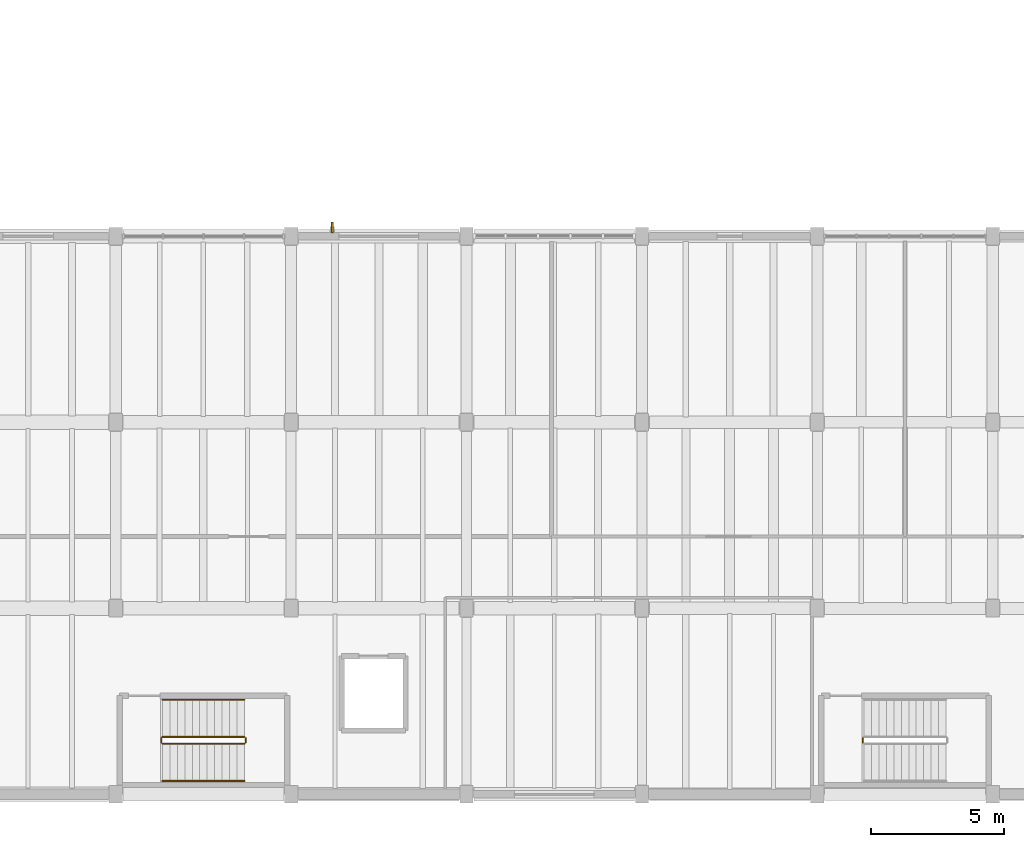
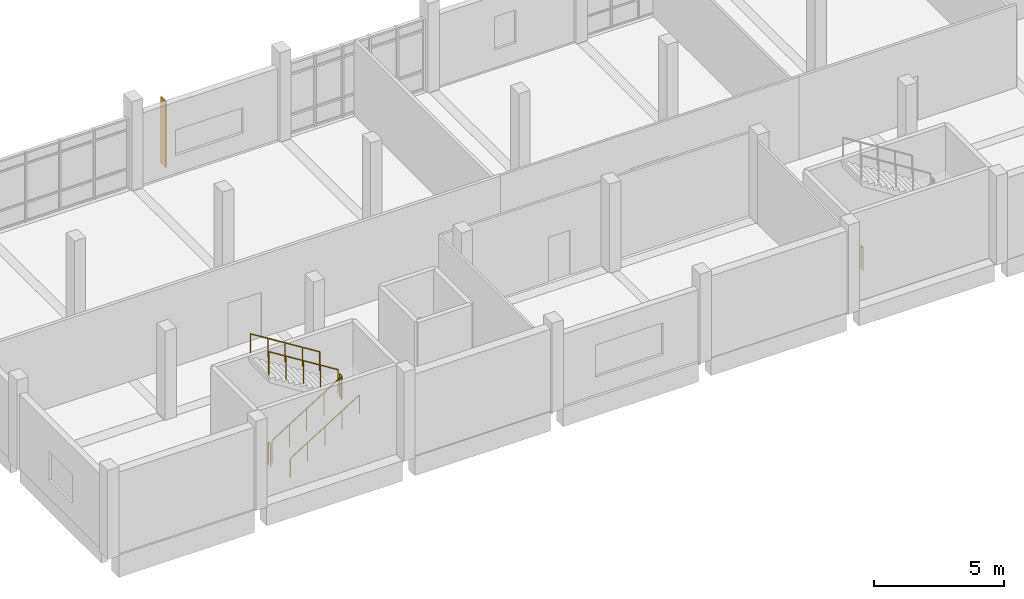
# One storey, part 59 of 67: 7 railings, 1 shading device.
"""IFC4 building model written with IfcOpenShell, lengths in metres."""

import ifcopenshell
import ifcopenshell.guid

model = None  # the IFC model being written
_history = None  # IfcOwnerHistory: only IFC2X3 demands one
_inside = {}  # id of a spatial element -> (the spatial element, [elements in it])
_under = {}  # id of a project, library or spatial element -> (it, [spatial elements below it])
_declared = {}  # id of a project -> (the project, [libraries it declares])
_typed = {}  # id of a type object -> (the type object, [elements of that type])
_made_of = {}  # id of a material, layer set ... -> (it, [elements and type objects made of it])


def new_model(schema):
    """Start an empty IFC model of exactly this schema.

    Asked for "IFC4X3", IfcOpenShell would pick the latest addendum, in which some entities
    have other attributes; the version numbers below select the first issue.
    IFC2X3 requires an IfcOwnerHistory on every rooted entity: one is made here for all.
    """
    global model, _history
    if schema == "IFC4X3":
        model = ifcopenshell.file(schema_version=(4, 3, 0, 0))
    else:
        model = ifcopenshell.file(schema=schema)
    _inside.clear()
    _under.clear()
    _declared.clear()
    _typed.clear()
    _made_of.clear()
    _history = None
    if model.schema == "IFC2X3":
        org = make("IfcOrganization", Name="unknown")
        user = make(
            "IfcPersonAndOrganization",
            ThePerson=make("IfcPerson", FamilyName="unknown"),
            TheOrganization=org,
        )
        app = make(
            "IfcApplication",
            ApplicationDeveloper=org,
            Version="unknown",
            ApplicationFullName="unknown",
            ApplicationIdentifier="unknown",
        )
        _history = make(
            "IfcOwnerHistory",
            OwningUser=user,
            OwningApplication=app,
            ChangeAction="ADDED",
            CreationDate=0,
        )
    return model


def make(cls, **values):
    """One entity of the class cls with the attributes given. An attribute that is None is left unset."""
    return model.create_entity(
        cls, **{name: value for name, value in values.items() if value is not None}
    )


def rooted(cls, **values):
    """An entity with a GlobalId (a new one), such as an element, a storey or a relation."""
    return make(cls, GlobalId=ifcopenshell.guid.new(), OwnerHistory=_history, **values)


def si_unit(unit_type, name, prefix=None):
    """IfcSIUnit, for example si_unit("LENGTHUNIT", "METRE", prefix="MILLI")."""
    return make("IfcSIUnit", UnitType=unit_type, Prefix=prefix, Name=name)


def assignment(units):
    """IfcUnitAssignment: the units of a project."""
    return None if units is None else make("IfcUnitAssignment", Units=units)


def point(xyz):
    """IfcCartesianPoint."""
    return None if xyz is None else make("IfcCartesianPoint", Coordinates=xyz)


def direction(xyz):
    """IfcDirection."""
    return None if xyz is None else make("IfcDirection", DirectionRatios=xyz)


def frame(location, z_axis=None, x_axis=None):
    """IfcAxis2Placement3D, a coordinate frame: its origin and axes. An axis left out is left unset."""
    return make(
        "IfcAxis2Placement3D",
        Location=point(location),
        Axis=direction(z_axis),
        RefDirection=direction(x_axis),
    )


def frame_2d(location, x_axis=None):
    """IfcAxis2Placement2D, a coordinate frame in the plane: its origin and x axis."""
    return make(
        "IfcAxis2Placement2D", Location=point(location), RefDirection=direction(x_axis)
    )


def origin():
    """The frame at (0, 0, 0) with its axes left unset."""
    return frame((0.0, 0.0, 0.0))


def origin_2d():
    """The frame at (0, 0) in the plane with its x axis left unset."""
    return frame_2d((0.0, 0.0))


def place(relative_to, where):
    """IfcLocalPlacement: puts the frame where relative to a parent placement (None: the world)."""
    return make(
        "IfcLocalPlacement", PlacementRelTo=relative_to, RelativePlacement=where
    )


def context(
    kind, dimensions, precision=None, world=None, true_north=None, identifier=None
):
    """IfcGeometricRepresentationContext, for example the 3D "Model" context."""
    return make(
        "IfcGeometricRepresentationContext",
        ContextIdentifier=identifier,
        ContextType=kind,
        CoordinateSpaceDimension=dimensions,
        Precision=precision,
        WorldCoordinateSystem=world,
        TrueNorth=true_north,
    )


def subcontext(parent, identifier, kind, view, scale=None):
    """IfcGeometricRepresentationSubContext, for example "Body" below "Model"."""
    return make(
        "IfcGeometricRepresentationSubContext",
        ContextIdentifier=identifier,
        ContextType=kind,
        ParentContext=parent,
        TargetScale=scale,
        TargetView=view,
    )


def project(units=None, contexts=None):
    """IfcProject with its units and contexts."""
    return rooted(
        "IfcProject",
        Name="project",
        RepresentationContexts=contexts,
        UnitsInContext=assignment(units),
    )


def spatial(cls, under=None, at=None, **own):
    """A site, building, storey or space (cls), placed at a placement, below another one or the project."""
    s = rooted(cls, ObjectPlacement=at, **own)
    if under is not None:
        _under.setdefault(under.id(), (under, []))[1].append(s)
    return s


def profile(cls, at=None, kind="AREA", **sizes):
    """A parametric profile (cls). Its sizes go by their IFC names, for example OverallWidth=200.0."""
    return make(cls, ProfileType=kind, Position=at, **sizes)


def rectangle(**sizes):
    """IfcRectangleProfileDef."""
    return profile("IfcRectangleProfileDef", **sizes)


def circle(**sizes):
    """IfcCircleProfileDef."""
    return profile("IfcCircleProfileDef", **sizes)


def extrude(swept, where, along, depth):
    """IfcExtrudedAreaSolid: the profile swept, set in the frame where, extruded along a direction by depth."""
    return make(
        "IfcExtrudedAreaSolid",
        SweptArea=swept,
        Position=where,
        ExtrudedDirection=direction(along),
        Depth=depth,
    )


def shape(context_of_items, identifier, shape_type, items):
    """IfcShapeRepresentation: the items that make up one representation, for example the "Body"."""
    return make(
        "IfcShapeRepresentation",
        ContextOfItems=context_of_items,
        RepresentationIdentifier=identifier,
        RepresentationType=shape_type,
        Items=items,
    )


def material(Name=None, Category=None):
    """IfcMaterial."""
    return make("IfcMaterial", Name=Name, Category=Category)


def material_profile(
    of_material, cross_section, Name=None, Category=None, Priority=None
):
    """IfcMaterialProfile: a cross section and its material."""
    return make(
        "IfcMaterialProfile",
        Name=Name,
        Material=of_material,
        Profile=cross_section,
        Priority=Priority,
        Category=Category,
    )


def profile_set(profiles, Name=None, composite=None):
    """IfcMaterialProfileSet."""
    return make(
        "IfcMaterialProfileSet",
        Name=Name,
        MaterialProfiles=profiles,
        CompositeProfile=composite,
    )


def made_of(thing, what):
    """Note that an element or type object is made of a material, layer set ...; save() writes the relation."""
    if what is not None:
        _made_of.setdefault(what.id(), (what, []))[1].append(thing)
    return thing


def type_object(cls, material=None, **own):
    """A type object (cls), such as IfcWallType, which elements share."""
    return made_of(rooted(cls, **own), material)


def element(
    cls,
    number,
    at=None,
    inside=None,
    cuts=None,
    type_object=None,
    material=None,
    context=None,
    identifier="Body",
    shape_type=None,
    held_by="IfcProductDefinitionShape",
    body=None,
    shapes=None,
    **own,
):
    """One element of the class cls, such as IfcWall. Its Tag is "e" and its number.

    at: its placement. inside: the storey or other place that contains it. cuts: it is an
    opening in that element (IfcRelVoidsElement). A single representation is given by context,
    identifier, shape_type and body (its items); several are given by shapes. held_by: the class
    of the entity that holds the representations. save() writes the other relations.
    """
    e = rooted(cls, Tag="e%d" % number, ObjectPlacement=at, **own)
    if body is not None:
        shapes = [shape(context, identifier, shape_type, body)]
    if shapes is not None:
        e.Representation = make(held_by, Representations=shapes)
    if inside is not None:
        _inside.setdefault(inside.id(), (inside, []))[1].append(e)
    if cuts is not None:
        rooted(
            "IfcRelVoidsElement", RelatingBuildingElement=cuts, RelatedOpeningElement=e
        )
    if type_object is not None:
        _typed.setdefault(type_object.id(), (type_object, []))[1].append(e)
    return made_of(e, material)


def aggregate(whole, parts):
    """IfcRelAggregates: a whole, such as a stair, and the parts it consists of."""
    return rooted("IfcRelAggregates", RelatingObject=whole, RelatedObjects=parts)


def save(model, path):
    """Write the relations noted so far, then the file.

    IfcRelAggregates (storeys below a building ...), IfcRelContainedInSpatialStructure (elements
    in a storey), IfcRelDefinesByType, IfcRelAssociatesMaterial and IfcRelDeclares: one each for
    every whole, place, type object, material and project.
    """
    for whole, parts in _under.values():
        aggregate(whole, parts)
    for where, things in _inside.values():
        rooted(
            "IfcRelContainedInSpatialStructure",
            RelatedElements=things,
            RelatingStructure=where,
        )
    for kind, things in _typed.values():
        rooted("IfcRelDefinesByType", RelatedObjects=things, RelatingType=kind)
    for what, things in _made_of.values():
        rooted("IfcRelAssociatesMaterial", RelatedObjects=things, RelatingMaterial=what)
    for by, libraries in _declared.values():
        rooted("IfcRelDeclares", RelatingContext=by, RelatedDefinitions=libraries)
    model.write(path)


model = new_model("IFC4")

# Units and contexts
model_context = context("Model", 3, precision=1e-05, world=origin(), true_north=direction((0.0, 1.0)))
body_context = subcontext(model_context, "Body", "Model", "MODEL_VIEW")
ifc_project = project(units=[si_unit("LENGTHUNIT", "METRE"), si_unit("AREAUNIT", "SQUARE_METRE"), si_unit("VOLUMEUNIT", "CUBIC_METRE"), si_unit("PLANEANGLEUNIT", "RADIAN"), si_unit("MASSUNIT", "GRAM", prefix="KILO")], contexts=[model_context])

# Site, building, storey
site_placement = place(None, origin())
site = spatial("IfcSite", under=ifc_project, at=site_placement, CompositionType="ELEMENT")
building_placement = place(site_placement, origin())
building = spatial("IfcBuilding", under=site, at=building_placement, Name="Ciguamira Faculty of Natural Sciences", CompositionType="ELEMENT")
storey_placement = place(building_placement, frame((0.0, 0.0, 8.39990234375)))
storey = spatial("IfcBuildingStorey", under=building, at=storey_placement, Name="L02", CompositionType="ELEMENT", Elevation=8.39990234375)

# Railings
ifc_material_1 = material(Name="Stainless steel balustrade", Category="steel")
railing_type_1 = type_object("IfcRailingType", Name="Guardrail_GR01", PredefinedType="GUARDRAIL", material=ifc_material_1)
railing_1_placement = place(storey_placement, frame((12.860107421875, 4.89990234375, 0.175048828125)))
element("IfcRailing", 1, at=railing_1_placement, inside=storey, type_object=railing_type_1, Name="L02 ST-C1 stair guard 1", PredefinedType="GUARDRAIL", context=body_context, shape_type="SweptSolid", body=[
    extrude(circle(Radius=0.02392578125, at=origin_2d()), frame((0.0, 0.0, 1.076171875), z_axis=(0.847979421464, 0.0, 0.530029150871), x_axis=(0.0, 1.0, 0.0)), (0.0, 0.0, 1.0), 3.632080078125),
    extrude(circle(Radius=0.02099609375, at=origin_2d()), origin(), (0.0, 0.0, 1.0), 1.052001953125),
    extrude(circle(Radius=0.02099609375, at=origin_2d()), frame((0.77001953125, 0.0, 0.481201171875)), (0.0, 0.0, 1.0), 1.052001953125),
    extrude(circle(Radius=0.02099609375, at=origin_2d()), frame((1.5400390625, 0.0, 0.96240234375)), (0.0, 0.0, 1.0), 1.052001953125),
    extrude(circle(Radius=0.02099609375, at=origin_2d()), frame((2.309814453125, 0.0, 1.44384765625)), (0.0, 0.0, 1.0), 1.052001953125),
    extrude(circle(Radius=0.02099609375, at=origin_2d()), frame((3.079833984375, 0.0, 1.925048828125)), (0.0, 0.0, 1.0), 1.052001953125),
])
railing_2_placement = place(storey_placement, frame((15.989990234375, 4.949951171875, 2.10009765625)))
element("IfcRailing", 2, at=railing_2_placement, inside=storey, type_object=railing_type_1, Name="L02 ST-C1 stair guard 2", PredefinedType="GUARDRAIL", context=body_context, shape_type="SweptSolid", body=[
    extrude(circle(Radius=0.02392578125, at=origin_2d()), frame((0.0, 0.0, 1.076171875), z_axis=(0.0, 1.0, 0.0), x_axis=(-1.0, 0.0, 0.0)), (0.0, 0.0, 1.0), 0.16015625),
    extrude(circle(Radius=0.02099609375, at=origin_2d()), origin(), (0.0, 0.0, 1.0), 1.052001953125),
    extrude(circle(Radius=0.02099609375, at=origin_2d()), frame((0.0, 0.16015625, 0.0)), (0.0, 0.0, 1.0), 1.052001953125),
])
railing_3_placement = place(storey_placement, frame((15.93994140625, 5.159912109375, 2.275146484375)))
element("IfcRailing", 3, at=railing_3_placement, inside=storey, type_object=railing_type_1, Name="L02 ST-C1 stair guard 3", PredefinedType="GUARDRAIL", context=body_context, shape_type="SweptSolid", body=[
    extrude(circle(Radius=0.02392578125, at=origin_2d()), frame((0.0, 0.0, 1.076171875), z_axis=(-0.847979421464, 0.0, 0.530029150871), x_axis=(0.0, -1.0, 0.0)), (0.0, 0.0, 1.0), 3.632080078125),
    extrude(circle(Radius=0.02099609375, at=origin_2d()), origin(), (0.0, 0.0, 1.0), 1.052001953125),
    extrude(circle(Radius=0.02099609375, at=origin_2d()), frame((-0.77001953125, 0.0, 0.481201171875)), (0.0, 0.0, 1.0), 1.052001953125),
    extrude(circle(Radius=0.02099609375, at=origin_2d()), frame((-1.5400390625, 0.0, 0.96240234375)), (0.0, 0.0, 1.0), 1.052001953125),
    extrude(circle(Radius=0.02099609375, at=origin_2d()), frame((-2.309814453125, 0.0, 1.44384765625)), (0.0, 0.0, 1.0), 1.052001953125),
    extrude(circle(Radius=0.02099609375, at=origin_2d()), frame((-3.079833984375, 0.0, 1.925048828125)), (0.0, 0.0, 1.0), 1.052001953125),
])
for number, where, name in (
    (4, (12.81005859375, 4.949951171875, 0.0), "L02 ST-C1 stair guard 4"),
    (5, (39.2099609375, 4.949951171875, 0.0), "L02 ST-C2 stair guard 4"),
):
    element("IfcRailing", number, at=place(storey_placement, frame(where)), inside=storey, type_object=railing_type_1, Name=name, PredefinedType="GUARDRAIL", context=body_context, shape_type="SweptSolid", body=[
        extrude(circle(Radius=0.02392578125, at=origin_2d()), frame((0.0, 0.0, 1.076171875), z_axis=(0.0, 1.0, 0.0), x_axis=(-1.0, 0.0, 0.0)), (0.0, 0.0, 1.0), 0.16015625),
        extrude(circle(Radius=0.02099609375, at=origin_2d()), origin(), (0.0, 0.0, 1.0), 1.052001953125),
        extrude(circle(Radius=0.02099609375, at=origin_2d()), frame((0.0, 0.16015625, 0.0)), (0.0, 0.0, 1.0), 1.052001953125),
    ])
ifc_material_2 = material(Name="Stainless steel handrail", Category="steel")
railing_type_2 = type_object("IfcRailingType", Name="Handrail_HR01", PredefinedType="HANDRAIL", material=ifc_material_2)
railing_4_placement = place(storey_placement, frame((12.860107421875, 3.5, 0.35009765625)))
element("IfcRailing", 6, at=railing_4_placement, inside=storey, type_object=railing_type_2, Name="L02 ST-C1 stair handrail 1", PredefinedType="HANDRAIL", context=body_context, shape_type="SweptSolid", body=[
    extrude(circle(Radius=0.02392578125, at=origin_2d()), frame((0.0, 0.0, 0.89111328125), z_axis=(0.847979421464, 0.0, 0.530029150871), x_axis=(0.0, 1.0, 0.0)), (0.0, 0.0, 1.0), 3.632080078125),
    extrude(circle(Radius=0.02099609375, at=origin_2d()), origin(), (0.0, 0.0, 1.0), 0.866943359375),
    extrude(circle(Radius=0.02099609375, at=origin_2d()), frame((0.77001953125, 0.0, 0.481201171875)), (0.0, 0.0, 1.0), 0.866943359375),
    extrude(circle(Radius=0.02099609375, at=origin_2d()), frame((1.5400390625, 0.0, 0.96240234375)), (0.0, 0.0, 1.0), 0.866943359375),
    extrude(circle(Radius=0.02099609375, at=origin_2d()), frame((2.309814453125, 0.0, 1.44384765625)), (0.0, 0.0, 1.0), 0.866943359375),
    extrude(circle(Radius=0.02099609375, at=origin_2d()), frame((3.079833984375, 0.0, 1.925048828125)), (0.0, 0.0, 1.0), 0.866943359375),
])
railing_5_placement = place(storey_placement, frame((15.93994140625, 6.56005859375, 2.4501953125)))
element("IfcRailing", 7, at=railing_5_placement, inside=storey, type_object=railing_type_2, Name="L02 ST-C1 stair handrail 2", PredefinedType="HANDRAIL", context=body_context, shape_type="SweptSolid", body=[
    extrude(circle(Radius=0.02392578125, at=origin_2d()), frame((0.0, 0.0, 0.89111328125), z_axis=(-0.848009633417, 0.0, 0.529980812513), x_axis=(0.0, -1.0, 0.0)), (0.0, 0.0, 1.0), 3.6318359375),
    extrude(circle(Radius=0.02099609375, at=origin_2d()), origin(), (0.0, 0.0, 1.0), 0.866943359375),
    extrude(circle(Radius=0.02099609375, at=origin_2d()), frame((-0.77001953125, 0.0, 0.481201171875)), (0.0, 0.0, 1.0), 0.866943359375),
    extrude(circle(Radius=0.02099609375, at=origin_2d()), frame((-1.5400390625, 0.0, 0.96240234375)), (0.0, 0.0, 1.0), 0.866943359375),
    extrude(circle(Radius=0.02099609375, at=origin_2d()), frame((-2.309814453125, 0.0, 1.443603515625)), (0.0, 0.0, 1.0), 0.866943359375),
    extrude(circle(Radius=0.02099609375, at=origin_2d()), frame((-3.079833984375, 0.0, 1.9248046875)), (0.0, 0.0, 1.0), 0.866943359375),
])

# Shading device
ifc_material_3 = material(Name="Anodized bronze sunshade fin")
ifc_material_profile = material_profile(ifc_material_3, rectangle(XDim=0.06494140625, YDim=0.3798828125, at=origin_2d()), Name="BRZ-FIN-65X380")
ifc_profile_set = profile_set([ifc_material_profile], Name="Anodized bronze sunshade fin")
shading_device_type = type_object("IfcShadingDeviceType", Name="SunFin_SF01", PredefinedType="USERDEFINED", material=ifc_profile_set)
shading_device_placement = place(storey_placement, frame((19.25, 24.330078125, 0.2001953125), z_axis=(0.0, 0.0, 1.0), x_axis=(1.0, 0.0, 0.0)))
element("IfcShadingDevice", 8, at=shading_device_placement, inside=storey, type_object=shading_device_type, Name="L02 bronze vertical sunshade fin 0018", ObjectType="SUNSHADE FIN", PredefinedType="USERDEFINED", context=body_context, shape_type="SweptSolid", body=[
    extrude(rectangle(XDim=0.06494140625, YDim=0.3798828125, at=origin_2d()), origin(), (0.0, 0.0, 1.0), 3.114990234375),
])

save(model, "model.ifc")
